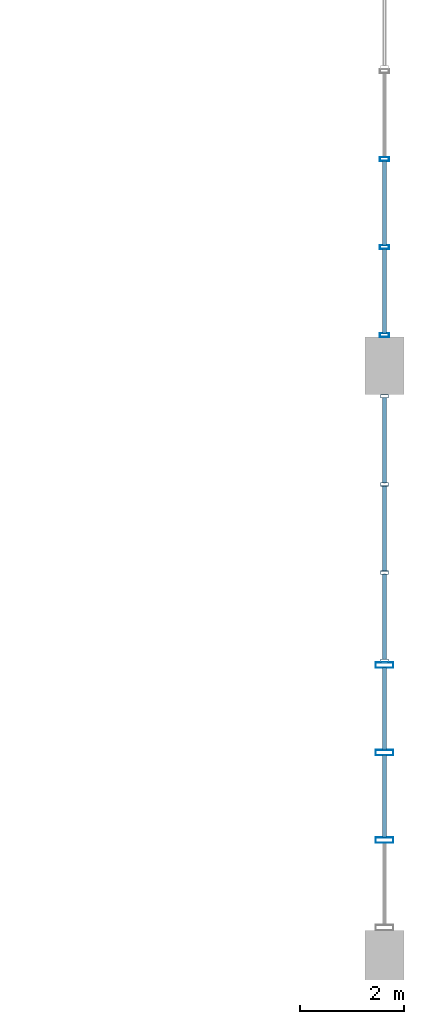
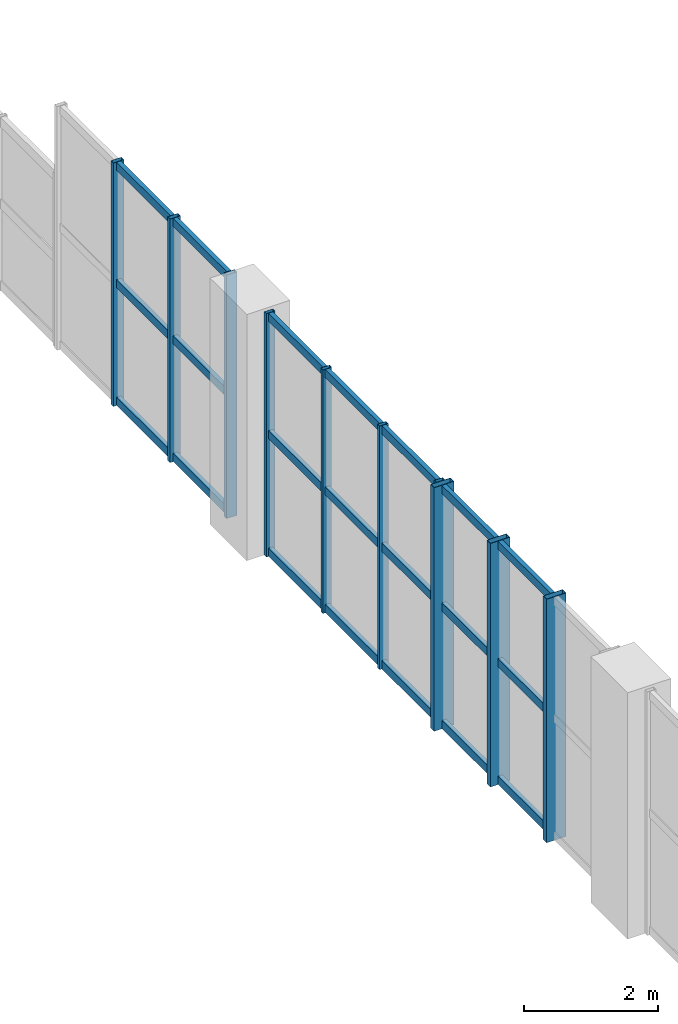
# One storey, part 22 of 48: 31 members, 3 elements without a shape of their own.
"""IFC4 building model written with IfcOpenShell, lengths in metres."""

from ifc_helpers import new_model, si_unit, direction, frame, origin, origin_2d, place, context, subcontext, project, spatial, hollow_rectangle, extrude, material, layer, layer_set, material_profile, profile_set, type_object, element, aggregate, save


model = new_model("IFC4")

# Units and contexts
model_context = context("Model", 3, precision=1e-05, world=origin(), true_north=direction((0.0, 1.0)))
body_context = subcontext(model_context, "Body", "Model", "MODEL_VIEW")
ifc_project = project(units=[si_unit("LENGTHUNIT", "METRE"), si_unit("AREAUNIT", "SQUARE_METRE"), si_unit("VOLUMEUNIT", "CUBIC_METRE"), si_unit("PLANEANGLEUNIT", "RADIAN"), si_unit("MASSUNIT", "GRAM", prefix="KILO"), si_unit("POWERUNIT", "WATT"), si_unit("THERMODYNAMICTEMPERATUREUNIT", "KELVIN")], contexts=[model_context])

# Site, building, storey
site_placement = place(None, origin())
site = spatial("IfcSite", under=ifc_project, at=site_placement, CompositionType="ELEMENT")
building_placement = place(site_placement, origin())
building = spatial("IfcBuilding", under=site, at=building_placement, Name="Kelmbourne Parkland Aquatics Centre", CompositionType="ELEMENT")
storey_placement = place(building_placement, frame((0.0, 0.0, 14.699951171875)))
storey = spatial("IfcBuildingStorey", under=building, at=storey_placement, Name="L03", CompositionType="ELEMENT", Elevation=14.699951171875)

# Curtain wall, members
ifc_material = material(Name="Thermally broken anodised aluminium framing", Category="aluminium")
ifc_layer_1 = layer(ifc_material, 0.179931640625)
ifc_layer_set_1 = layer_set([ifc_layer_1], Name="Thermally broken anodised aluminium framing")
curtain_wall_type_1 = type_object("IfcCurtainWallType", Name="CW-01", PredefinedType="NOTDEFINED", material=ifc_layer_set_1)
curtain_wall_1_placement = place(storey_placement, origin())
curtain_wall_1 = element("IfcCurtainWall", 1, at=curtain_wall_1_placement, inside=storey, type_object=curtain_wall_type_1, Name="Wave-hall clerestory curtain wall CW-L03-025", PredefinedType="NOTDEFINED")
ifc_material_profile_1 = material_profile(ifc_material, hollow_rectangle(XDim=0.06494140625, YDim=0.14990234375, WallThickness=0.00390625, at=origin_2d()), Name="CW-M 65x150")
ifc_profile_set_1 = profile_set([ifc_material_profile_1], Name="Thermally broken anodised aluminium framing")
member_type_1 = type_object("IfcMemberType", Name="MB-MUL-1", PredefinedType="MULLION", material=ifc_profile_set_1)
member_1_placement = place(storey_placement, frame((175.199951171875, 17.9326171875, 0.0), z_axis=(0.0, 0.0, 1.0), x_axis=(0.0, 1.0, 0.0)))
member_1 = element("IfcMember", 2, at=member_1_placement, type_object=member_type_1, Name="CW-L03-025 mullion 0", PredefinedType="MULLION", context=body_context, shape_type="SweptSolid", body=[
    extrude(hollow_rectangle(XDim=0.06494140625, YDim=0.14990234375, WallThickness=0.00390625, at=origin_2d()), origin(), (0.0, 0.0, 1.0), 4.449951171875),
])
member_2_placement = place(storey_placement, frame((175.199951171875, 19.626708984375, 0.0), z_axis=(0.0, 0.0, 1.0), x_axis=(0.0, 1.0, 0.0)))
member_2 = element("IfcMember", 3, at=member_2_placement, type_object=member_type_1, Name="CW-L03-025 mullion 1", PredefinedType="MULLION", context=body_context, shape_type="SweptSolid", body=[
    extrude(hollow_rectangle(XDim=0.06494140625, YDim=0.14990234375, WallThickness=0.00390625, at=origin_2d()), origin(), (0.0, 0.0, 1.0), 4.449951171875),
])
member_3_placement = place(storey_placement, frame((175.199951171875, 21.3212890625, 0.0), z_axis=(0.0, 0.0, 1.0), x_axis=(0.0, 1.0, 0.0)))
member_3 = element("IfcMember", 4, at=member_3_placement, type_object=member_type_1, Name="CW-L03-025 mullion 2", PredefinedType="MULLION", context=body_context, shape_type="SweptSolid", body=[
    extrude(hollow_rectangle(XDim=0.06494140625, YDim=0.14990234375, WallThickness=0.00390625, at=origin_2d()), origin(), (0.0, 0.0, 1.0), 4.449951171875),
])
member_4_placement = place(storey_placement, frame((175.199951171875, 23.015380859375, 0.0), z_axis=(0.0, 0.0, 1.0), x_axis=(0.0, 1.0, 0.0)))
member_4 = element("IfcMember", 5, at=member_4_placement, type_object=member_type_1, Name="CW-L03-025 mullion 3", PredefinedType="MULLION", context=body_context, shape_type="SweptSolid", body=[
    extrude(hollow_rectangle(XDim=0.06494140625, YDim=0.14990234375, WallThickness=0.00390625, at=origin_2d()), origin(), (0.0, 0.0, 1.0), 4.449951171875),
])

ifc_layer_2 = layer(ifc_material, 0.179931640625)
ifc_layer_set_2 = layer_set([ifc_layer_2], Name="Thermally broken anodised aluminium framing")
curtain_wall_type_2 = type_object("IfcCurtainWallType", Name="CW-07", PredefinedType="NOTDEFINED", material=ifc_layer_set_2)
curtain_wall_2_placement = place(storey_placement, origin())
curtain_wall_2 = element("IfcCurtainWall", 6, at=curtain_wall_2_placement, inside=storey, type_object=curtain_wall_type_2, Name="Wave-hall clerestory curtain wall CW-L03-031", PredefinedType="NOTDEFINED")
ifc_material_profile_2 = material_profile(ifc_material, hollow_rectangle(XDim=0.074951171875, YDim=0.179931640625, WallThickness=0.00439453125, at=origin_2d()), Name="CW-M 75x180")
ifc_profile_set_2 = profile_set([ifc_material_profile_2], Name="Thermally broken anodised aluminium framing")
member_type_2 = type_object("IfcMemberType", Name="MB-MUL-2", PredefinedType="MULLION", material=ifc_profile_set_2)
member_5_placement = place(storey_placement, frame((175.199951171875, 24.189453125, 0.0), z_axis=(0.0, 0.0, 1.0), x_axis=(0.0, 1.0, 0.0)))
member_5 = element("IfcMember", 7, at=member_5_placement, type_object=member_type_2, Name="CW-L03-031 mullion 0", PredefinedType="MULLION", context=body_context, shape_type="SweptSolid", body=[
    extrude(hollow_rectangle(XDim=0.074951171875, YDim=0.179931640625, WallThickness=0.00439453125, at=origin_2d()), origin(), (0.0, 0.0, 1.0), 4.449951171875),
])
member_6_placement = place(storey_placement, frame((175.199951171875, 25.880615234375, 0.0), z_axis=(0.0, 0.0, 1.0), x_axis=(0.0, 1.0, 0.0)))
member_6 = element("IfcMember", 8, at=member_6_placement, type_object=member_type_2, Name="CW-L03-031 mullion 1", PredefinedType="MULLION", context=body_context, shape_type="SweptSolid", body=[
    extrude(hollow_rectangle(XDim=0.074951171875, YDim=0.179931640625, WallThickness=0.00439453125, at=origin_2d()), origin(), (0.0, 0.0, 1.0), 4.449951171875),
])
member_7_placement = place(storey_placement, frame((175.199951171875, 27.571533203125, 0.0), z_axis=(0.0, 0.0, 1.0), x_axis=(0.0, 1.0, 0.0)))
member_7 = element("IfcMember", 9, at=member_7_placement, type_object=member_type_2, Name="CW-L03-031 mullion 2", PredefinedType="MULLION", context=body_context, shape_type="SweptSolid", body=[
    extrude(hollow_rectangle(XDim=0.074951171875, YDim=0.179931640625, WallThickness=0.00439453125, at=origin_2d()), origin(), (0.0, 0.0, 1.0), 4.449951171875),
])

ifc_layer_3 = layer(ifc_material, 0.179931640625)
ifc_layer_set_3 = layer_set([ifc_layer_3], Name="Thermally broken anodised aluminium framing")
curtain_wall_type_3 = type_object("IfcCurtainWallType", Name="CW-19", PredefinedType="NOTDEFINED", material=ifc_layer_set_3)
curtain_wall_3_placement = place(storey_placement, origin())
curtain_wall_3 = element("IfcCurtainWall", 10, at=curtain_wall_3_placement, inside=storey, type_object=curtain_wall_type_3, Name="Wave-hall clerestory curtain wall CW-L03-019", PredefinedType="NOTDEFINED")
ifc_material_profile_3 = material_profile(ifc_material, hollow_rectangle(XDim=0.10498046875, YDim=0.340087890625, WallThickness=0.006103515625, at=origin_2d()), Name="CW-M 105x340")
ifc_profile_set_3 = profile_set([ifc_material_profile_3], Name="Thermally broken anodised aluminium framing")
member_type_3 = type_object("IfcMemberType", Name="MB-MUL-5", PredefinedType="MULLION", material=ifc_profile_set_3)
member_8_placement = place(storey_placement, frame((175.199951171875, 14.485595703125, 0.0), z_axis=(0.0, 0.0, 1.0), x_axis=(0.0, 1.0, 0.0)))
member_8 = element("IfcMember", 11, at=member_8_placement, type_object=member_type_3, Name="CW-L03-019 mullion 1", PredefinedType="MULLION", context=body_context, shape_type="SweptSolid", body=[
    extrude(hollow_rectangle(XDim=0.10498046875, YDim=0.340087890625, WallThickness=0.006103515625, at=origin_2d()), origin(), (0.0, 0.0, 1.0), 4.449951171875),
])
member_9_placement = place(storey_placement, frame((175.199951171875, 16.16650390625, 0.0), z_axis=(0.0, 0.0, 1.0), x_axis=(0.0, 1.0, 0.0)))
member_9 = element("IfcMember", 12, at=member_9_placement, type_object=member_type_3, Name="CW-L03-019 mullion 2", PredefinedType="MULLION", context=body_context, shape_type="SweptSolid", body=[
    extrude(hollow_rectangle(XDim=0.10498046875, YDim=0.340087890625, WallThickness=0.006103515625, at=origin_2d()), origin(), (0.0, 0.0, 1.0), 4.449951171875),
])
member_10_placement = place(storey_placement, frame((175.199951171875, 17.847412109375, 0.0), z_axis=(0.0, 0.0, 1.0), x_axis=(0.0, 1.0, 0.0)))
member_10 = element("IfcMember", 13, at=member_10_placement, type_object=member_type_3, Name="CW-L03-019 mullion 3", PredefinedType="MULLION", context=body_context, shape_type="SweptSolid", body=[
    extrude(hollow_rectangle(XDim=0.10498046875, YDim=0.340087890625, WallThickness=0.006103515625, at=origin_2d()), origin(), (0.0, 0.0, 1.0), 4.449951171875),
])
ifc_material_profile_4 = material_profile(ifc_material, hollow_rectangle(XDim=0.074951171875, YDim=0.14990234375, WallThickness=0.00390625, at=origin_2d()), Name="CW-T 75x150")
ifc_profile_set_4 = profile_set([ifc_material_profile_4], Name="Thermally broken anodised aluminium framing")
member_type_4 = type_object("IfcMemberType", Name="MB-TRN-2", PredefinedType="USERDEFINED", material=ifc_profile_set_4)
member_11_placement = place(storey_placement, frame((175.199951171875, 14.533935546875, 0.078125), z_axis=(0.0, 1.0, 0.0), x_axis=(-1.0, 0.0, 0.0)))
member_11 = element("IfcMember", 14, at=member_11_placement, type_object=member_type_4, Name="CW-L03-019 transom 0-1", ObjectType="TRANSOM", PredefinedType="USERDEFINED", context=body_context, shape_type="SweptSolid", body=[
    extrude(hollow_rectangle(XDim=0.074951171875, YDim=0.14990234375, WallThickness=0.00390625, at=origin_2d()), origin(), (0.0, 0.0, 1.0), 1.583984375),
])
member_12_placement = place(storey_placement, frame((175.199951171875, 16.215087890625, 0.078125), z_axis=(0.0, 1.0, 0.0), x_axis=(-1.0, 0.0, 0.0)))
member_12 = element("IfcMember", 15, at=member_12_placement, type_object=member_type_4, Name="CW-L03-019 transom 0-2", ObjectType="TRANSOM", PredefinedType="USERDEFINED", context=body_context, shape_type="SweptSolid", body=[
    extrude(hollow_rectangle(XDim=0.074951171875, YDim=0.14990234375, WallThickness=0.00390625, at=origin_2d()), origin(), (0.0, 0.0, 1.0), 1.583984375),
])
member_13_placement = place(storey_placement, frame((175.199951171875, 14.533935546875, 2.22509765625), z_axis=(0.0, 1.0, 0.0), x_axis=(-1.0, 0.0, 0.0)))
member_13 = element("IfcMember", 16, at=member_13_placement, type_object=member_type_4, Name="CW-L03-019 transom 1-1", ObjectType="TRANSOM", PredefinedType="USERDEFINED", context=body_context, shape_type="SweptSolid", body=[
    extrude(hollow_rectangle(XDim=0.074951171875, YDim=0.14990234375, WallThickness=0.00390625, at=origin_2d()), origin(), (0.0, 0.0, 1.0), 1.583984375),
])
member_14_placement = place(storey_placement, frame((175.199951171875, 16.215087890625, 2.22509765625), z_axis=(0.0, 1.0, 0.0), x_axis=(-1.0, 0.0, 0.0)))
member_14 = element("IfcMember", 17, at=member_14_placement, type_object=member_type_4, Name="CW-L03-019 transom 1-2", ObjectType="TRANSOM", PredefinedType="USERDEFINED", context=body_context, shape_type="SweptSolid", body=[
    extrude(hollow_rectangle(XDim=0.074951171875, YDim=0.14990234375, WallThickness=0.00390625, at=origin_2d()), origin(), (0.0, 0.0, 1.0), 1.583984375),
])
member_15_placement = place(storey_placement, frame((175.199951171875, 14.533935546875, 4.3720703125), z_axis=(0.0, 1.0, 0.0), x_axis=(-1.0, 0.0, 0.0)))
member_15 = element("IfcMember", 18, at=member_15_placement, type_object=member_type_4, Name="CW-L03-019 transom 2-1", ObjectType="TRANSOM", PredefinedType="USERDEFINED", context=body_context, shape_type="SweptSolid", body=[
    extrude(hollow_rectangle(XDim=0.074951171875, YDim=0.14990234375, WallThickness=0.00390625, at=origin_2d()), origin(), (0.0, 0.0, 1.0), 1.583984375),
])
member_16_placement = place(storey_placement, frame((175.199951171875, 16.215087890625, 4.3720703125), z_axis=(0.0, 1.0, 0.0), x_axis=(-1.0, 0.0, 0.0)))
member_16 = element("IfcMember", 19, at=member_16_placement, type_object=member_type_4, Name="CW-L03-019 transom 2-2", ObjectType="TRANSOM", PredefinedType="USERDEFINED", context=body_context, shape_type="SweptSolid", body=[
    extrude(hollow_rectangle(XDim=0.074951171875, YDim=0.14990234375, WallThickness=0.00390625, at=origin_2d()), origin(), (0.0, 0.0, 1.0), 1.583984375),
])
aggregate(curtain_wall_3, [member_8, member_9, member_10, member_11, member_12, member_13, member_14, member_15, member_16])

# Member
member_17_placement = place(storey_placement, frame((175.199951171875, 17.9609375, 0.078125), z_axis=(0.0, 1.0, 0.0), x_axis=(-1.0, 0.0, 0.0)))
member_17 = element("IfcMember", 20, at=member_17_placement, type_object=member_type_4, Name="CW-L03-025 transom 0-0", ObjectType="TRANSOM", PredefinedType="USERDEFINED", context=body_context, shape_type="SweptSolid", body=[
    extrude(hollow_rectangle(XDim=0.074951171875, YDim=0.14990234375, WallThickness=0.00390625, at=origin_2d()), origin(), (0.0, 0.0, 1.0), 1.637451171875),
])

member_18_placement = place(storey_placement, frame((175.199951171875, 19.6552734375, 0.078125), z_axis=(0.0, 1.0, 0.0), x_axis=(-1.0, 0.0, 0.0)))
member_18 = element("IfcMember", 21, at=member_18_placement, type_object=member_type_4, Name="CW-L03-025 transom 0-1", ObjectType="TRANSOM", PredefinedType="USERDEFINED", context=body_context, shape_type="SweptSolid", body=[
    extrude(hollow_rectangle(XDim=0.074951171875, YDim=0.14990234375, WallThickness=0.00390625, at=origin_2d()), origin(), (0.0, 0.0, 1.0), 1.637451171875),
])

member_19_placement = place(storey_placement, frame((175.199951171875, 21.349609375, 0.078125), z_axis=(0.0, 1.0, 0.0), x_axis=(-1.0, 0.0, 0.0)))
member_19 = element("IfcMember", 22, at=member_19_placement, type_object=member_type_4, Name="CW-L03-025 transom 0-2", ObjectType="TRANSOM", PredefinedType="USERDEFINED", context=body_context, shape_type="SweptSolid", body=[
    extrude(hollow_rectangle(XDim=0.074951171875, YDim=0.14990234375, WallThickness=0.00390625, at=origin_2d()), origin(), (0.0, 0.0, 1.0), 1.637451171875),
])

member_20_placement = place(storey_placement, frame((175.199951171875, 17.9609375, 2.22509765625), z_axis=(0.0, 1.0, 0.0), x_axis=(-1.0, 0.0, 0.0)))
member_20 = element("IfcMember", 23, at=member_20_placement, type_object=member_type_4, Name="CW-L03-025 transom 1-0", ObjectType="TRANSOM", PredefinedType="USERDEFINED", context=body_context, shape_type="SweptSolid", body=[
    extrude(hollow_rectangle(XDim=0.074951171875, YDim=0.14990234375, WallThickness=0.00390625, at=origin_2d()), origin(), (0.0, 0.0, 1.0), 1.637451171875),
])

member_21_placement = place(storey_placement, frame((175.199951171875, 19.6552734375, 2.22509765625), z_axis=(0.0, 1.0, 0.0), x_axis=(-1.0, 0.0, 0.0)))
member_21 = element("IfcMember", 24, at=member_21_placement, type_object=member_type_4, Name="CW-L03-025 transom 1-1", ObjectType="TRANSOM", PredefinedType="USERDEFINED", context=body_context, shape_type="SweptSolid", body=[
    extrude(hollow_rectangle(XDim=0.074951171875, YDim=0.14990234375, WallThickness=0.00390625, at=origin_2d()), origin(), (0.0, 0.0, 1.0), 1.637451171875),
])

member_22_placement = place(storey_placement, frame((175.199951171875, 21.349609375, 2.22509765625), z_axis=(0.0, 1.0, 0.0), x_axis=(-1.0, 0.0, 0.0)))
member_22 = element("IfcMember", 25, at=member_22_placement, type_object=member_type_4, Name="CW-L03-025 transom 1-2", ObjectType="TRANSOM", PredefinedType="USERDEFINED", context=body_context, shape_type="SweptSolid", body=[
    extrude(hollow_rectangle(XDim=0.074951171875, YDim=0.14990234375, WallThickness=0.00390625, at=origin_2d()), origin(), (0.0, 0.0, 1.0), 1.637451171875),
])

member_23_placement = place(storey_placement, frame((175.199951171875, 17.9609375, 4.3720703125), z_axis=(0.0, 1.0, 0.0), x_axis=(-1.0, 0.0, 0.0)))
member_23 = element("IfcMember", 26, at=member_23_placement, type_object=member_type_4, Name="CW-L03-025 transom 2-0", ObjectType="TRANSOM", PredefinedType="USERDEFINED", context=body_context, shape_type="SweptSolid", body=[
    extrude(hollow_rectangle(XDim=0.074951171875, YDim=0.14990234375, WallThickness=0.00390625, at=origin_2d()), origin(), (0.0, 0.0, 1.0), 1.637451171875),
])

member_24_placement = place(storey_placement, frame((175.199951171875, 19.6552734375, 4.3720703125), z_axis=(0.0, 1.0, 0.0), x_axis=(-1.0, 0.0, 0.0)))
member_24 = element("IfcMember", 27, at=member_24_placement, type_object=member_type_4, Name="CW-L03-025 transom 2-1", ObjectType="TRANSOM", PredefinedType="USERDEFINED", context=body_context, shape_type="SweptSolid", body=[
    extrude(hollow_rectangle(XDim=0.074951171875, YDim=0.14990234375, WallThickness=0.00390625, at=origin_2d()), origin(), (0.0, 0.0, 1.0), 1.637451171875),
])

member_25_placement = place(storey_placement, frame((175.199951171875, 21.349609375, 4.3720703125), z_axis=(0.0, 1.0, 0.0), x_axis=(-1.0, 0.0, 0.0)))
member_25 = element("IfcMember", 28, at=member_25_placement, type_object=member_type_4, Name="CW-L03-025 transom 2-2", ObjectType="TRANSOM", PredefinedType="USERDEFINED", context=body_context, shape_type="SweptSolid", body=[
    extrude(hollow_rectangle(XDim=0.074951171875, YDim=0.14990234375, WallThickness=0.00390625, at=origin_2d()), origin(), (0.0, 0.0, 1.0), 1.637451171875),
])

aggregate(curtain_wall_1, [member_1, member_2, member_3, member_4, member_17, member_18, member_19, member_20, member_21, member_22, member_23, member_24, member_25])

member_26_placement = place(storey_placement, frame((175.199951171875, 24.222900390625, 0.078125), z_axis=(0.0, 1.0, 0.0), x_axis=(-1.0, 0.0, 0.0)))
member_26 = element("IfcMember", 29, at=member_26_placement, type_object=member_type_4, Name="CW-L03-031 transom 0-0", ObjectType="TRANSOM", PredefinedType="USERDEFINED", context=body_context, shape_type="SweptSolid", body=[
    extrude(hollow_rectangle(XDim=0.074951171875, YDim=0.14990234375, WallThickness=0.00390625, at=origin_2d()), origin(), (0.0, 0.0, 1.0), 1.6240234375),
])

member_27_placement = place(storey_placement, frame((175.199951171875, 25.9140625, 0.078125), z_axis=(0.0, 1.0, 0.0), x_axis=(-1.0, 0.0, 0.0)))
member_27 = element("IfcMember", 30, at=member_27_placement, type_object=member_type_4, Name="CW-L03-031 transom 0-1", ObjectType="TRANSOM", PredefinedType="USERDEFINED", context=body_context, shape_type="SweptSolid", body=[
    extrude(hollow_rectangle(XDim=0.074951171875, YDim=0.14990234375, WallThickness=0.00390625, at=origin_2d()), origin(), (0.0, 0.0, 1.0), 1.6240234375),
])

member_28_placement = place(storey_placement, frame((175.199951171875, 24.222900390625, 2.22509765625), z_axis=(0.0, 1.0, 0.0), x_axis=(-1.0, 0.0, 0.0)))
member_28 = element("IfcMember", 31, at=member_28_placement, type_object=member_type_4, Name="CW-L03-031 transom 1-0", ObjectType="TRANSOM", PredefinedType="USERDEFINED", context=body_context, shape_type="SweptSolid", body=[
    extrude(hollow_rectangle(XDim=0.074951171875, YDim=0.14990234375, WallThickness=0.00390625, at=origin_2d()), origin(), (0.0, 0.0, 1.0), 1.6240234375),
])

member_29_placement = place(storey_placement, frame((175.199951171875, 25.9140625, 2.22509765625), z_axis=(0.0, 1.0, 0.0), x_axis=(-1.0, 0.0, 0.0)))
member_29 = element("IfcMember", 32, at=member_29_placement, type_object=member_type_4, Name="CW-L03-031 transom 1-1", ObjectType="TRANSOM", PredefinedType="USERDEFINED", context=body_context, shape_type="SweptSolid", body=[
    extrude(hollow_rectangle(XDim=0.074951171875, YDim=0.14990234375, WallThickness=0.00390625, at=origin_2d()), origin(), (0.0, 0.0, 1.0), 1.6240234375),
])

member_30_placement = place(storey_placement, frame((175.199951171875, 24.222900390625, 4.3720703125), z_axis=(0.0, 1.0, 0.0), x_axis=(-1.0, 0.0, 0.0)))
member_30 = element("IfcMember", 33, at=member_30_placement, type_object=member_type_4, Name="CW-L03-031 transom 2-0", ObjectType="TRANSOM", PredefinedType="USERDEFINED", context=body_context, shape_type="SweptSolid", body=[
    extrude(hollow_rectangle(XDim=0.074951171875, YDim=0.14990234375, WallThickness=0.00390625, at=origin_2d()), origin(), (0.0, 0.0, 1.0), 1.6240234375),
])

member_31_placement = place(storey_placement, frame((175.199951171875, 25.9140625, 4.3720703125), z_axis=(0.0, 1.0, 0.0), x_axis=(-1.0, 0.0, 0.0)))
member_31 = element("IfcMember", 34, at=member_31_placement, type_object=member_type_4, Name="CW-L03-031 transom 2-1", ObjectType="TRANSOM", PredefinedType="USERDEFINED", context=body_context, shape_type="SweptSolid", body=[
    extrude(hollow_rectangle(XDim=0.074951171875, YDim=0.14990234375, WallThickness=0.00390625, at=origin_2d()), origin(), (0.0, 0.0, 1.0), 1.6240234375),
])

aggregate(curtain_wall_2, [member_5, member_6, member_7, member_26, member_27, member_28, member_29, member_30, member_31])

save(model, "model.ifc")
